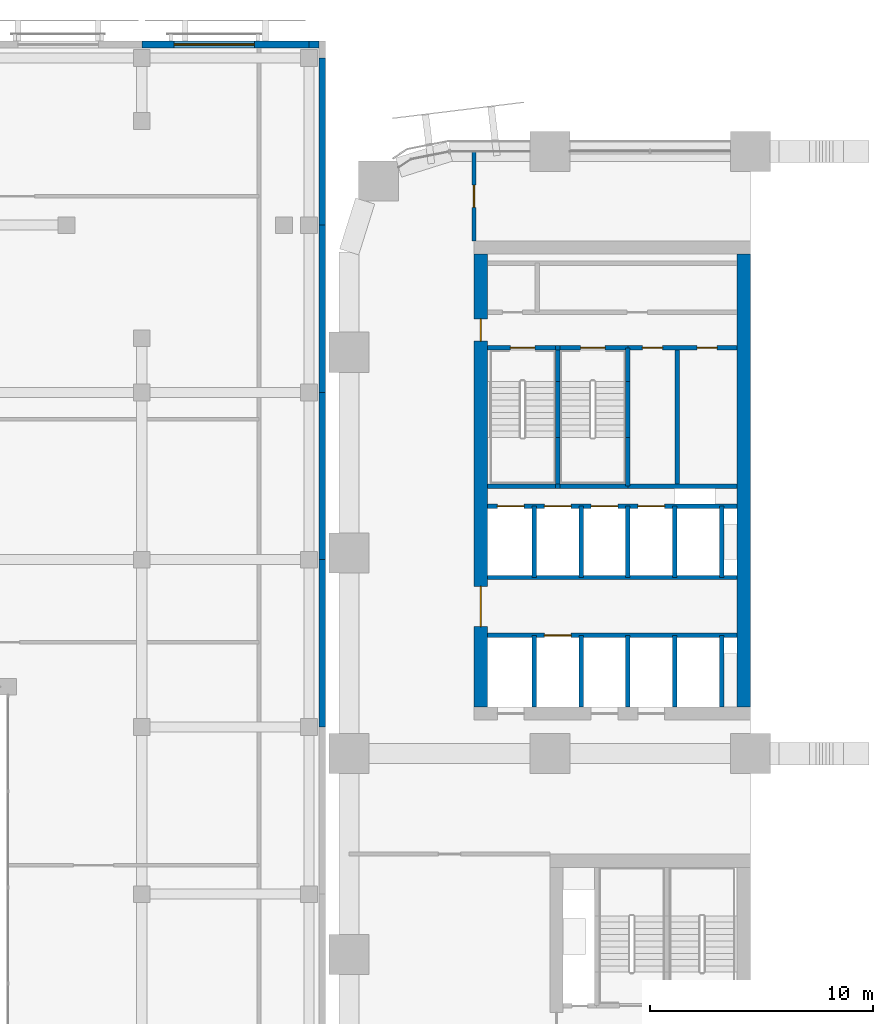
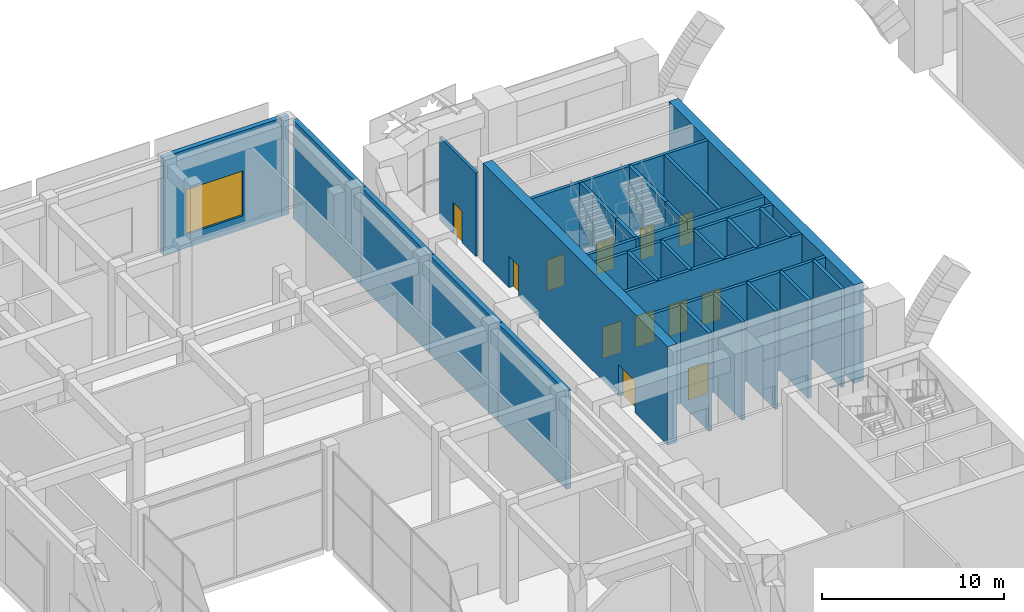
# One storey, part 21 of 42: 37 walls, 12 doors, 1 window, 13 openings.
"""IFC4 building model written with IfcOpenShell, lengths in metres."""

from ifc_helpers import new_model, si_unit, direction, frame, frame_2d, origin, place, context, subcontext, project, spatial, rectangle, extrude, material, layer, layer_set, type_object, element, fill, save


model = new_model("IFC4")

# Units and contexts
model_context = context("Model", 3, precision=1e-05, world=origin(), true_north=direction((0.0, 1.0)))
body_context = subcontext(model_context, "Body", "Model", "MODEL_VIEW")
ifc_project = project(units=[si_unit("LENGTHUNIT", "METRE"), si_unit("AREAUNIT", "SQUARE_METRE"), si_unit("VOLUMEUNIT", "CUBIC_METRE"), si_unit("PLANEANGLEUNIT", "RADIAN"), si_unit("MASSUNIT", "GRAM", prefix="KILO")], contexts=[model_context])

# Site, building, storey
site_placement = place(None, origin())
site = spatial("IfcSite", under=ifc_project, at=site_placement, CompositionType="ELEMENT")
building_placement = place(site_placement, origin())
building = spatial("IfcBuilding", under=site, at=building_placement, Name="Tessera Arch", CompositionType="ELEMENT")
storey_placement = place(building_placement, frame((0.0, 0.0, 14.0)))
storey = spatial("IfcBuildingStorey", under=building, at=storey_placement, Name="L02", CompositionType="ELEMENT", Elevation=14.0)

# Wall
ifc_material_1 = material(Name="Gypsum board on steel stud", Category="steel")
ifc_layer_1 = layer(ifc_material_1, 0.125)
ifc_layer_set_1 = layer_set([ifc_layer_1], Name="Core partition 125 EI 60")
wall_type_1 = type_object("IfcWallType", Name="Core partition 125 EI 60", PredefinedType="PARTITIONING", material=ifc_layer_set_1)
wall_1_placement = place(storey_placement, frame((14.705078125, 39.0, 0.0), z_axis=(0.0, 0.0, 1.0), x_axis=(0.0, 1.0, 0.0)))
element("IfcWall", 1, at=wall_1_placement, inside=storey, type_object=wall_type_1, Name="L02 C2 partition wall 16", PredefinedType="PARTITIONING", context=body_context, shape_type="SweptSolid", body=[
    extrude(rectangle(XDim=6.199951171875, YDim=0.199951171875, at=frame_2d((3.10009765625, 0.0))), origin(), (0.0, 0.0, 1.0), 6.590087890625),
])

# Wall, openings, doors
wall_2_placement = place(storey_placement, frame((12.5, 45.199951171875, 0.0), z_axis=(0.0, 0.0, 1.0), x_axis=(1.0, 0.0, 0.0)))
wall_2 = element("IfcWall", 2, at=wall_2_placement, inside=storey, type_object=wall_type_1, Name="L02 C2 partition wall 26", PredefinedType="PARTITIONING", context=body_context, shape_type="SweptSolid", body=[
    extrude(rectangle(XDim=4.89990234375, YDim=0.199951171875, at=frame_2d((2.449951171875, 0.0))), origin(), (0.0, 0.0, 1.0), 6.590087890625),
])
opening_1_placement = place(wall_2_placement, frame((0.652587890625, 0.0, 0.0)))
opening_1 = element("IfcOpeningElement", 3, at=opening_1_placement, cuts=wall_2, Name="Opening L02-C27", PredefinedType="OPENING", context=body_context, shape_type="SweptSolid", body=[
    extrude(rectangle(XDim=0.89990234375, YDim=2.10009765625, at=frame_2d((0.449951171875, 1.050048828125))), frame((0.0, 0.10986328125, 0.0), z_axis=(0.0, -1.0, 0.0), x_axis=(1.0, 0.0, 0.0)), (0.0, 0.0, 1.0), 0.219970703125),
])
opening_2_placement = place(wall_2_placement, frame((3.1025390625, 0.0, 0.0)))
opening_2 = element("IfcOpeningElement", 4, at=opening_2_placement, cuts=wall_2, Name="Opening L02-C28", PredefinedType="OPENING", context=body_context, shape_type="SweptSolid", body=[
    extrude(rectangle(XDim=0.89990234375, YDim=2.10009765625, at=frame_2d((0.449951171875, 1.050048828125))), frame((0.0, 0.10986328125, 0.0), z_axis=(0.0, -1.0, 0.0), x_axis=(1.0, 0.0, 0.0)), (0.0, 0.0, 1.0), 0.219970703125),
])
ifc_material_2 = material(Name="Steel door leaf", Category="steel")
door_type_1 = type_object("IfcDoorType", Name="Store door FD30S 900 x 2100", OperationType="SINGLE_SWING_LEFT", PredefinedType="DOOR", material=ifc_material_2)
door_1_placement = place(opening_1_placement, origin())
door_1 = element("IfcDoor", 5, at=door_1_placement, inside=storey, type_object=door_type_1, Name="L02 C2 door 15 C27 type D09", OperationType="SINGLE_SWING_LEFT", OverallHeight=2.10009765625, OverallWidth=0.89990234375, PredefinedType="DOOR", context=body_context, shape_type="SweptSolid", body=[
    extrude(rectangle(XDim=0.89990234375, YDim=2.10009765625, at=frame_2d((0.449951171875, 1.050048828125))), frame((0.0, 0.02490234375, 0.0), z_axis=(0.0, -1.0, 0.0), x_axis=(1.0, 0.0, 0.0)), (0.0, 0.0, 1.0), 0.050048828125),
])
fill(opening_1, door_1)
door_2_placement = place(opening_2_placement, origin())
door_2 = element("IfcDoor", 6, at=door_2_placement, inside=storey, type_object=door_type_1, Name="L02 C2 door 16 C28 type D09", OperationType="SINGLE_SWING_RIGHT", OverallHeight=2.10009765625, OverallWidth=0.89990234375, PredefinedType="DOOR", context=body_context, shape_type="SweptSolid", body=[
    extrude(rectangle(XDim=0.89990234375, YDim=2.10009765625, at=frame_2d((0.449951171875, 1.050048828125))), frame((0.0, 0.02490234375, 0.0), z_axis=(0.0, -1.0, 0.0), x_axis=(1.0, 0.0, 0.0)), (0.0, 0.0, 1.0), 0.050048828125),
])
fill(opening_2, door_2)

ifc_material_3 = material(Name="Concrete C70/85", Category="concrete")
ifc_layer_2 = layer(ifc_material_3, 0.60009765625)
ifc_layer_set_2 = layer_set([ifc_layer_2], Name="Core shell wall 600 C70-85")
wall_type_2 = type_object("IfcWallType", Name="Core shell wall 600 C70-85", PredefinedType="SHEAR", material=ifc_layer_set_2)
wall_3_placement = place(storey_placement, frame((5.89990234375, 29.10009765625, 0.0), z_axis=(0.0, 0.0, 1.0), x_axis=(0.0, 1.0, 0.0)))
wall_3 = element("IfcWall", 7, at=wall_3_placement, inside=storey, type_object=wall_type_2, Name="L02 C2 core wall W", PredefinedType="SHEAR", context=body_context, shape_type="SweptSolid", body=[
    extrude(rectangle(XDim=20.2998046875, YDim=0.60009765625, at=frame_2d((10.14990234375, 0.0))), origin(), (0.0, 0.0, 1.0), 6.590087890625),
])
opening_3_placement = place(wall_3_placement, frame((3.60009765625, 0.0, 0.0)))
opening_3 = element("IfcOpeningElement", 8, at=opening_3_placement, cuts=wall_3, Name="Opening L02-C21", PredefinedType="OPENING", context=body_context, shape_type="SweptSolid", body=[
    extrude(rectangle(XDim=1.800048828125, YDim=2.10009765625, at=frame_2d((0.89990234375, 1.050048828125))), frame((0.0, 0.31005859375, 0.0), z_axis=(0.0, -1.0, 0.0), x_axis=(1.0, 0.0, 0.0)), (0.0, 0.0, 1.0), 0.6201171875),
])
opening_4_placement = place(wall_3_placement, frame((16.39990234375, 0.0, 0.0)))
opening_4 = element("IfcOpeningElement", 9, at=opening_4_placement, cuts=wall_3, Name="Opening L02-C24", PredefinedType="OPENING", context=body_context, shape_type="SweptSolid", body=[
    extrude(rectangle(XDim=1.0, YDim=2.10009765625, at=frame_2d((0.5, 1.050048828125))), frame((0.0, 0.31005859375, 0.0), z_axis=(0.0, -1.0, 0.0), x_axis=(1.0, 0.0, 0.0)), (0.0, 0.0, 1.0), 0.6201171875),
])
ifc_material_4 = material(Name="Steel door leaf", Category="steel")
door_type_2 = type_object("IfcDoorType", Name="Corridor door FD60 1000 x 2100", OperationType="SINGLE_SWING_LEFT", PredefinedType="DOOR", material=ifc_material_4)
door_3_placement = place(opening_4_placement, origin())
door_3 = element("IfcDoor", 10, at=door_3_placement, inside=storey, type_object=door_type_2, Name="L02 C2 door 12 C24 type D12", OperationType="SINGLE_SWING_RIGHT", OverallHeight=2.10009765625, OverallWidth=1.0, PredefinedType="DOOR", context=body_context, shape_type="SweptSolid", body=[
    extrude(rectangle(XDim=1.0, YDim=2.10009765625, at=frame_2d((0.5, 1.050048828125))), frame((0.0, 0.02490234375, 0.0), z_axis=(0.0, -1.0, 0.0), x_axis=(1.0, 0.0, 0.0)), (0.0, 0.0, 1.0), 0.050048828125),
])
fill(opening_4, door_3)
ifc_material_5 = material(Name="Glazed steel door leaf", Category="steel")
door_type_3 = type_object("IfcDoorType", Name="Lobby double door FD30S 1800 x 2100", OperationType="DOUBLE_DOOR_SINGLE_SWING", PredefinedType="DOOR", material=ifc_material_5)
door_4_placement = place(opening_3_placement, origin())
door_4 = element("IfcDoor", 11, at=door_4_placement, inside=storey, type_object=door_type_3, Name="L02 C2 door 9 C21 type D06", OperationType="DOUBLE_DOOR_SINGLE_SWING", OverallHeight=2.10009765625, OverallWidth=1.800048828125, PredefinedType="DOOR", context=body_context, shape_type="SweptSolid", body=[
    extrude(rectangle(XDim=1.800048828125, YDim=2.10009765625, at=frame_2d((0.89990234375, 1.050048828125))), frame((0.0, 0.02490234375, 0.0), z_axis=(0.0, -1.0, 0.0), x_axis=(1.0, 0.0, 0.0)), (0.0, 0.0, 1.0), 0.050048828125),
])
fill(opening_3, door_4)

# Wall
wall_4_placement = place(storey_placement, frame((17.699951171875, 29.10009765625, 0.0), z_axis=(0.0, 0.0, 1.0), x_axis=(0.0, 1.0, 0.0)))
element("IfcWall", 12, at=wall_4_placement, inside=storey, type_object=wall_type_2, Name="L02 C2 core wall E", PredefinedType="SHEAR", context=body_context, shape_type="SweptSolid", body=[
    extrude(rectangle(XDim=20.2998046875, YDim=0.60009765625, at=frame_2d((10.14990234375, 0.0))), origin(), (0.0, 0.0, 1.0), 6.590087890625),
])

# Wall, opening, door
ifc_material_6 = material(Name="Gypsum board on deep steel stud with mineral wool", Category="steel")
ifc_layer_3 = layer(ifc_material_6, 0.175048828125)
ifc_layer_set_3 = layer_set([ifc_layer_3], Name="Corridor wall 175 EI 60")
wall_type_3 = type_object("IfcWallType", Name="Corridor wall 175 EI 60", PredefinedType="PARTITIONING", material=ifc_layer_set_3)
wall_5_placement = place(storey_placement, frame((5.60009765625, 50.0, 0.0), z_axis=(0.0, 0.0, 1.0), x_axis=(0.0, 1.0, 0.0)))
wall_5 = element("IfcWall", 13, at=wall_5_placement, inside=storey, type_object=wall_type_3, Name="L02 partition 14", PredefinedType="PARTITIONING", context=body_context, shape_type="SweptSolid", body=[
    extrude(rectangle(XDim=4.0, YDim=0.175048828125, at=frame_2d((2.0, 0.0))), origin(), (0.0, 0.0, 1.0), 5.590087890625),
])
opening_5_placement = place(wall_5_placement, frame((1.5, 0.0, 0.0)))
opening_5 = element("IfcOpeningElement", 14, at=opening_5_placement, cuts=wall_5, Name="Opening L02-D018", PredefinedType="OPENING", context=body_context, shape_type="SweptSolid", body=[
    extrude(rectangle(XDim=1.0, YDim=2.10009765625, at=frame_2d((0.5, 1.050048828125))), frame((0.0, 0.097412109375, 0.0), z_axis=(0.0, -1.0, 0.0), x_axis=(1.0, 0.0, 0.0)), (0.0, 0.0, 1.0), 0.195068359375),
])
ifc_material_7 = material(Name="Fire-rated door leaf")
door_type_4 = type_object("IfcDoorType", Name="Entrance door FD30S 1000 x 2100", OperationType="SINGLE_SWING_LEFT", PredefinedType="DOOR", material=ifc_material_7)
door_5_placement = place(opening_5_placement, origin())
door_5 = element("IfcDoor", 15, at=door_5_placement, inside=storey, type_object=door_type_4, Name="L02 door D018 type D03", OperationType="SINGLE_SWING_LEFT", OverallHeight=2.10009765625, OverallWidth=1.0, PredefinedType="DOOR", context=body_context, shape_type="SweptSolid", body=[
    extrude(rectangle(XDim=1.0, YDim=2.10009765625, at=frame_2d((0.5, 1.050048828125))), frame((0.0, 0.02490234375, 0.0), z_axis=(0.0, -1.0, 0.0), x_axis=(1.0, 0.0, 0.0)), (0.0, 0.0, 1.0), 0.050048828125),
])
fill(opening_5, door_5)

# Wall
ifc_material_8 = material(Name="Aluminium cladding pale metal anodised", Category="aluminium")
ifc_layer_4 = layer(ifc_material_8, 0.300048828125)
ifc_layer_set_4 = layer_set([ifc_layer_4], Name="Museum envelope wall pale metal")
wall_type_4 = type_object("IfcWallType", Name="Museum envelope wall pale metal", PredefinedType="SOLIDWALL", material=ifc_layer_set_4)
wall_6_placement = place(storey_placement, frame((-1.35009765625, 58.800048828125, 0.0), z_axis=(0.0, 0.0, 1.0), x_axis=(-1.0, 0.0, 0.0)))
element("IfcWall", 16, at=wall_6_placement, inside=storey, type_object=wall_type_4, Name="Museum external wall pale metal mashrabiya pattern", PredefinedType="SOLIDWALL", context=body_context, shape_type="SweptSolid", body=[
    extrude(rectangle(XDim=0.449951171875, YDim=0.300048828125, at=frame_2d((0.22509765625, 0.0))), origin(), (0.0, 0.0, 1.0), 6.590087890625),
])

# Wall, opening, window
wall_7_placement = place(storey_placement, frame((-1.800048828125, 58.800048828125, 0.0), z_axis=(0.0, 0.0, 1.0), x_axis=(-1.0, 0.0, 0.0)))
wall_7 = element("IfcWall", 17, at=wall_7_placement, inside=storey, type_object=wall_type_4, Name="Museum external wall pale metal mashrabiya pattern", PredefinedType="SOLIDWALL", context=body_context, shape_type="SweptSolid", body=[
    extrude(rectangle(XDim=7.5, YDim=0.300048828125, at=frame_2d((3.75, 0.0))), origin(), (0.0, 0.0, 1.0), 6.590087890625),
])
opening_6_placement = place(wall_7_placement, frame((2.449951171875, 0.0, 0.89990234375)))
opening_6 = element("IfcOpeningElement", 18, at=opening_6_placement, cuts=wall_7, Name="Opening L02-MV30", PredefinedType="OPENING", context=body_context, shape_type="SweptSolid", body=[
    extrude(rectangle(XDim=3.60009765625, YDim=3.0, at=frame_2d((1.800048828125, 1.5))), frame((0.0, 0.159912109375, 0.0), z_axis=(0.0, -1.0, 0.0), x_axis=(1.0, 0.0, 0.0)), (0.0, 0.0, 1.0), 0.320068359375),
])
ifc_material_9 = material(Name="Clear low-e glass in aluminium frame", Category="aluminium")
window_type = type_object("IfcWindowType", Name="Museum window fixed clear glass", PartitioningType="SINGLE_PANEL", PredefinedType="WINDOW", material=ifc_material_9)
window_placement = place(opening_6_placement, origin())
window = element("IfcWindow", 19, at=window_placement, inside=storey, type_object=window_type, Name="Museum window L02 5-2", OverallHeight=3.0, OverallWidth=3.60009765625, PartitioningType="SINGLE_PANEL", PredefinedType="WINDOW", context=body_context, shape_type="SweptSolid", body=[
    extrude(rectangle(XDim=3.60009765625, YDim=3.0, at=frame_2d((1.800048828125, 1.5))), frame((0.0, 0.030029296875, 0.0), z_axis=(0.0, -1.0, 0.0), x_axis=(1.0, 0.0, 0.0)), (0.0, 0.0, 1.0), 0.06005859375),
])
fill(opening_6, window)

# Walls
ifc_material_10 = material(Name="Concrete C40/50", Category="concrete")
ifc_layer_5 = layer(ifc_material_10, 0.300048828125)
ifc_layer_set_5 = layer_set([ifc_layer_5], Name="Museum fire wall")
wall_type_5 = type_object("IfcWallType", Name="Museum fire wall", PredefinedType="SOLIDWALL", material=ifc_layer_set_5)
for number, where, z_axis, x_axis, name in (
    (20, (-1.199951171875, 28.199951171875, 0.0), (0.0, 0.0, 1.0), (0.0, 1.0, 0.0), "Museum fire wall at the movement joint"),
    (21, (-1.199951171875, 35.699951171875, 0.0), (0.0, 0.0, 1.0), (0.0, 1.0, 0.0), "Museum fire wall at the movement joint"),
    (22, (-1.199951171875, 43.199951171875, 0.0), (0.0, 0.0, 1.0), (0.0, 1.0, 0.0), "Museum fire wall at the movement joint"),
    (23, (-1.199951171875, 50.699951171875, 0.0), (0.0, 0.0, 1.0), (0.0, 1.0, 0.0), "Museum fire wall at the movement joint"),
):
    element("IfcWall", number, at=place(storey_placement, frame(where, z_axis=z_axis, x_axis=x_axis)), inside=storey, type_object=wall_type_5, Name=name, PredefinedType="SOLIDWALL", context=body_context, shape_type="SweptSolid", body=[
        extrude(rectangle(XDim=7.5, YDim=0.300048828125, at=frame_2d((3.75, 0.0))), origin(), (0.0, 0.0, 1.0), 6.590087890625),
    ])
ifc_material_11 = material(Name="Concrete C40/50", Category="concrete")
ifc_layer_6 = layer(ifc_material_11, 0.199951171875)
ifc_layer_set_6 = layer_set([ifc_layer_6], Name="Shaft wall 200 EI 120")
wall_type_6 = type_object("IfcWallType", Name="Shaft wall 200 EI 120", PredefinedType="SOLIDWALL", material=ifc_layer_set_6)
wall_8_placement = place(storey_placement, frame((8.300048828125, 29.10009765625, 0.0), z_axis=(0.0, 0.0, 1.0), x_axis=(0.0, 1.0, 0.0)))
element("IfcWall", 24, at=wall_8_placement, inside=storey, type_object=wall_type_6, Name="L02 C2 shaft wall 1", PredefinedType="SOLIDWALL", context=body_context, shape_type="SweptSolid", body=[
    extrude(rectangle(XDim=3.199951171875, YDim=0.199951171875, at=frame_2d((1.60009765625, 0.0))), origin(), (0.0, 0.0, 1.0), 6.590087890625),
])
wall_9_placement = place(storey_placement, frame((8.300048828125, 34.89990234375, 0.0), z_axis=(0.0, 0.0, 1.0), x_axis=(0.0, 1.0, 0.0)))
element("IfcWall", 25, at=wall_9_placement, inside=storey, type_object=wall_type_6, Name="L02 C2 shaft wall 2", PredefinedType="SOLIDWALL", context=body_context, shape_type="SweptSolid", body=[
    extrude(rectangle(XDim=3.2001953125, YDim=0.199951171875, at=frame_2d((1.60009765625, 0.0))), origin(), (0.0, 0.0, 1.0), 6.590087890625),
])
wall_10_placement = place(storey_placement, frame((10.39990234375, 29.10009765625, 0.0), z_axis=(0.0, 0.0, 1.0), x_axis=(0.0, 1.0, 0.0)))
element("IfcWall", 26, at=wall_10_placement, inside=storey, type_object=wall_type_6, Name="L02 C2 shaft wall 7", PredefinedType="SOLIDWALL", context=body_context, shape_type="SweptSolid", body=[
    extrude(rectangle(XDim=3.199951171875, YDim=0.199951171875, at=frame_2d((1.60009765625, 0.0))), origin(), (0.0, 0.0, 1.0), 6.590087890625),
])
wall_11_placement = place(storey_placement, frame((10.39990234375, 34.89990234375, 0.0), z_axis=(0.0, 0.0, 1.0), x_axis=(0.0, 1.0, 0.0)))
element("IfcWall", 27, at=wall_11_placement, inside=storey, type_object=wall_type_6, Name="L02 C2 shaft wall 8", PredefinedType="SOLIDWALL", context=body_context, shape_type="SweptSolid", body=[
    extrude(rectangle(XDim=3.2001953125, YDim=0.199951171875, at=frame_2d((1.60009765625, 0.0))), origin(), (0.0, 0.0, 1.0), 6.590087890625),
])
wall_12_placement = place(storey_placement, frame((12.5, 29.10009765625, 0.0), z_axis=(0.0, 0.0, 1.0), x_axis=(0.0, 1.0, 0.0)))
element("IfcWall", 28, at=wall_12_placement, inside=storey, type_object=wall_type_6, Name="L02 C2 shaft wall 9", PredefinedType="SOLIDWALL", context=body_context, shape_type="SweptSolid", body=[
    extrude(rectangle(XDim=3.199951171875, YDim=0.199951171875, at=frame_2d((1.60009765625, 0.0))), origin(), (0.0, 0.0, 1.0), 6.590087890625),
])
wall_13_placement = place(storey_placement, frame((12.5, 34.89990234375, 0.0), z_axis=(0.0, 0.0, 1.0), x_axis=(0.0, 1.0, 0.0)))
element("IfcWall", 29, at=wall_13_placement, inside=storey, type_object=wall_type_6, Name="L02 C2 shaft wall 10", PredefinedType="SOLIDWALL", context=body_context, shape_type="SweptSolid", body=[
    extrude(rectangle(XDim=3.2001953125, YDim=0.199951171875, at=frame_2d((1.60009765625, 0.0))), origin(), (0.0, 0.0, 1.0), 6.590087890625),
])
wall_14_placement = place(storey_placement, frame((14.60009765625, 29.10009765625, 0.0), z_axis=(0.0, 0.0, 1.0), x_axis=(0.0, 1.0, 0.0)))
element("IfcWall", 30, at=wall_14_placement, inside=storey, type_object=wall_type_6, Name="L02 C2 shaft wall 14", PredefinedType="SOLIDWALL", context=body_context, shape_type="SweptSolid", body=[
    extrude(rectangle(XDim=3.199951171875, YDim=0.199951171875, at=frame_2d((1.60009765625, 0.0))), origin(), (0.0, 0.0, 1.0), 6.590087890625),
])
wall_15_placement = place(storey_placement, frame((14.60009765625, 34.89990234375, 0.0), z_axis=(0.0, 0.0, 1.0), x_axis=(0.0, 1.0, 0.0)))
element("IfcWall", 31, at=wall_15_placement, inside=storey, type_object=wall_type_6, Name="L02 C2 shaft wall 15", PredefinedType="SOLIDWALL", context=body_context, shape_type="SweptSolid", body=[
    extrude(rectangle(XDim=3.2001953125, YDim=0.199951171875, at=frame_2d((1.60009765625, 0.0))), origin(), (0.0, 0.0, 1.0), 6.590087890625),
])
wall_16_placement = place(storey_placement, frame((16.699951171875, 29.10009765625, 0.0), z_axis=(0.0, 0.0, 1.0), x_axis=(0.0, 1.0, 0.0)))
element("IfcWall", 32, at=wall_16_placement, inside=storey, type_object=wall_type_6, Name="L02 C2 shaft wall 17", PredefinedType="SOLIDWALL", context=body_context, shape_type="SweptSolid", body=[
    extrude(rectangle(XDim=3.199951171875, YDim=0.199951171875, at=frame_2d((1.60009765625, 0.0))), origin(), (0.0, 0.0, 1.0), 6.590087890625),
])
wall_17_placement = place(storey_placement, frame((16.699951171875, 34.89990234375, 0.0), z_axis=(0.0, 0.0, 1.0), x_axis=(0.0, 1.0, 0.0)))
element("IfcWall", 33, at=wall_17_placement, inside=storey, type_object=wall_type_6, Name="L02 C2 shaft wall 18", PredefinedType="SOLIDWALL", context=body_context, shape_type="SweptSolid", body=[
    extrude(rectangle(XDim=3.2001953125, YDim=0.199951171875, at=frame_2d((1.60009765625, 0.0))), origin(), (0.0, 0.0, 1.0), 6.590087890625),
])

# Wall, opening, door
wall_18_placement = place(storey_placement, frame((6.199951171875, 32.300048828125, 0.0), z_axis=(0.0, 0.0, 1.0), x_axis=(1.0, 0.0, 0.0)))
wall_18 = element("IfcWall", 34, at=wall_18_placement, inside=storey, type_object=wall_type_6, Name="L02 C2 shaft wall 19", PredefinedType="SOLIDWALL", context=body_context, shape_type="SweptSolid", body=[
    extrude(rectangle(XDim=11.199951171875, YDim=0.199951171875, at=frame_2d((5.60009765625, 0.0))), origin(), (0.0, 0.0, 1.0), 6.590087890625),
])
opening_7_placement = place(wall_18_placement, frame((2.550048828125, 0.0, 0.0)))
opening_7 = element("IfcOpeningElement", 35, at=opening_7_placement, cuts=wall_18, Name="Opening L02-C14", PredefinedType="OPENING", context=body_context, shape_type="SweptSolid", body=[
    extrude(rectangle(XDim=1.199951171875, YDim=2.10009765625, at=frame_2d((0.60009765625, 1.050048828125))), frame((0.0, 0.10986328125, 0.0), z_axis=(0.0, -1.0, 0.0), x_axis=(1.0, 0.0, 0.0)), (0.0, 0.0, 1.0), 0.219970703125),
])
ifc_material_12 = material(Name="Stainless steel AISI 304", Category="steel")
door_type_5 = type_object("IfcDoorType", Name="Sliding landing door 1200 x 2100", OperationType="SLIDING_TO_LEFT", PredefinedType="DOOR", material=ifc_material_12)
door_6_placement = place(opening_7_placement, origin())
door_6 = element("IfcDoor", 36, at=door_6_placement, inside=storey, type_object=door_type_5, Name="L02 LR2 lift landing door C14 type LD", OperationType="SLIDING_TO_LEFT", OverallHeight=2.10009765625, OverallWidth=1.199951171875, PredefinedType="DOOR", context=body_context, shape_type="SweptSolid", body=[
    extrude(rectangle(XDim=1.199951171875, YDim=2.10009765625, at=frame_2d((0.60009765625, 1.050048828125))), frame((0.0, 0.02490234375, 0.0), z_axis=(0.0, -1.0, 0.0), x_axis=(1.0, 0.0, 0.0)), (0.0, 0.0, 1.0), 0.050048828125),
])
fill(opening_7, door_6)

# Wall
wall_19_placement = place(storey_placement, frame((6.199951171875, 34.89990234375, 0.0), z_axis=(0.0, 0.0, 1.0), x_axis=(1.0, 0.0, 0.0)))
element("IfcWall", 37, at=wall_19_placement, inside=storey, type_object=wall_type_6, Name="L02 C2 shaft wall 20", PredefinedType="SOLIDWALL", context=body_context, shape_type="SweptSolid", body=[
    extrude(rectangle(XDim=11.199951171875, YDim=0.199951171875, at=frame_2d((5.60009765625, 0.0))), origin(), (0.0, 0.0, 1.0), 6.590087890625),
])

# Wall, openings, doors
wall_20_placement = place(storey_placement, frame((6.199951171875, 38.10009765625, 0.0), z_axis=(0.0, 0.0, 1.0), x_axis=(1.0, 0.0, 0.0)))
wall_20 = element("IfcWall", 38, at=wall_20_placement, inside=storey, type_object=wall_type_6, Name="L02 C2 shaft wall 21", PredefinedType="SOLIDWALL", context=body_context, shape_type="SweptSolid", body=[
    extrude(rectangle(XDim=11.199951171875, YDim=0.199951171875, at=frame_2d((5.60009765625, 0.0))), origin(), (0.0, 0.0, 1.0), 6.590087890625),
])
opening_8_placement = place(wall_20_placement, frame((0.449951171875, 0.0, 0.0)))
opening_8 = element("IfcOpeningElement", 39, at=opening_8_placement, cuts=wall_20, Name="Opening L02-C17", PredefinedType="OPENING", context=body_context, shape_type="SweptSolid", body=[
    extrude(rectangle(XDim=1.199951171875, YDim=2.10009765625, at=frame_2d((0.60009765625, 1.050048828125))), frame((0.0, 0.10986328125, 0.0), z_axis=(0.0, -1.0, 0.0), x_axis=(1.0, 0.0, 0.0)), (0.0, 0.0, 1.0), 0.219970703125),
])
opening_9_placement = place(wall_20_placement, frame((2.550048828125, 0.0, 0.0)))
opening_9 = element("IfcOpeningElement", 40, at=opening_9_placement, cuts=wall_20, Name="Opening L02-C18", PredefinedType="OPENING", context=body_context, shape_type="SweptSolid", body=[
    extrude(rectangle(XDim=1.199951171875, YDim=2.10009765625, at=frame_2d((0.60009765625, 1.050048828125))), frame((0.0, 0.10986328125, 0.0), z_axis=(0.0, -1.0, 0.0), x_axis=(1.0, 0.0, 0.0)), (0.0, 0.0, 1.0), 0.219970703125),
])
opening_10_placement = place(wall_20_placement, frame((4.64990234375, 0.0, 0.0)))
opening_10 = element("IfcOpeningElement", 41, at=opening_10_placement, cuts=wall_20, Name="Opening L02-C19", PredefinedType="OPENING", context=body_context, shape_type="SweptSolid", body=[
    extrude(rectangle(XDim=1.199951171875, YDim=2.10009765625, at=frame_2d((0.60009765625, 1.050048828125))), frame((0.0, 0.10986328125, 0.0), z_axis=(0.0, -1.0, 0.0), x_axis=(1.0, 0.0, 0.0)), (0.0, 0.0, 1.0), 0.219970703125),
])
opening_11_placement = place(wall_20_placement, frame((6.75, 0.0, 0.0)))
opening_11 = element("IfcOpeningElement", 42, at=opening_11_placement, cuts=wall_20, Name="Opening L02-C20", PredefinedType="OPENING", context=body_context, shape_type="SweptSolid", body=[
    extrude(rectangle(XDim=1.199951171875, YDim=2.10009765625, at=frame_2d((0.60009765625, 1.050048828125))), frame((0.0, 0.10986328125, 0.0), z_axis=(0.0, -1.0, 0.0), x_axis=(1.0, 0.0, 0.0)), (0.0, 0.0, 1.0), 0.219970703125),
])
door_7_placement = place(opening_8_placement, origin())
door_7 = element("IfcDoor", 43, at=door_7_placement, inside=storey, type_object=door_type_5, Name="L02 LR5 lift landing door C17 type LD", OperationType="SLIDING_TO_LEFT", OverallHeight=2.10009765625, OverallWidth=1.199951171875, PredefinedType="DOOR", context=body_context, shape_type="SweptSolid", body=[
    extrude(rectangle(XDim=1.199951171875, YDim=2.10009765625, at=frame_2d((0.60009765625, 1.050048828125))), frame((0.0, 0.02490234375, 0.0), z_axis=(0.0, -1.0, 0.0), x_axis=(1.0, 0.0, 0.0)), (0.0, 0.0, 1.0), 0.050048828125),
])
fill(opening_8, door_7)
door_8_placement = place(opening_9_placement, origin())
door_8 = element("IfcDoor", 44, at=door_8_placement, inside=storey, type_object=door_type_5, Name="L02 LR6 lift landing door C18 type LD", OperationType="SLIDING_TO_LEFT", OverallHeight=2.10009765625, OverallWidth=1.199951171875, PredefinedType="DOOR", context=body_context, shape_type="SweptSolid", body=[
    extrude(rectangle(XDim=1.199951171875, YDim=2.10009765625, at=frame_2d((0.60009765625, 1.050048828125))), frame((0.0, 0.02490234375, 0.0), z_axis=(0.0, -1.0, 0.0), x_axis=(1.0, 0.0, 0.0)), (0.0, 0.0, 1.0), 0.050048828125),
])
fill(opening_9, door_8)
door_9_placement = place(opening_10_placement, origin())
door_9 = element("IfcDoor", 45, at=door_9_placement, inside=storey, type_object=door_type_5, Name="L02 LR7 lift landing door C19 type LD", OperationType="SLIDING_TO_LEFT", OverallHeight=2.10009765625, OverallWidth=1.199951171875, PredefinedType="DOOR", context=body_context, shape_type="SweptSolid", body=[
    extrude(rectangle(XDim=1.199951171875, YDim=2.10009765625, at=frame_2d((0.60009765625, 1.050048828125))), frame((0.0, 0.02490234375, 0.0), z_axis=(0.0, -1.0, 0.0), x_axis=(1.0, 0.0, 0.0)), (0.0, 0.0, 1.0), 0.050048828125),
])
fill(opening_10, door_9)
door_10_placement = place(opening_11_placement, origin())
door_10 = element("IfcDoor", 46, at=door_10_placement, inside=storey, type_object=door_type_5, Name="L02 LR8 lift landing door C20 type LD", OperationType="SLIDING_TO_LEFT", OverallHeight=2.10009765625, OverallWidth=1.199951171875, PredefinedType="DOOR", context=body_context, shape_type="SweptSolid", body=[
    extrude(rectangle(XDim=1.199951171875, YDim=2.10009765625, at=frame_2d((0.60009765625, 1.050048828125))), frame((0.0, 0.02490234375, 0.0), z_axis=(0.0, -1.0, 0.0), x_axis=(1.0, 0.0, 0.0)), (0.0, 0.0, 1.0), 0.050048828125),
])
fill(opening_11, door_10)

# Walls
wall_21_placement = place(storey_placement, frame((12.5, 39.0, 0.0), z_axis=(0.0, 0.0, 1.0), x_axis=(1.0, 0.0, 0.0)))
element("IfcWall", 47, at=wall_21_placement, inside=storey, type_object=wall_type_6, Name="L02 C2 shaft wall 22", PredefinedType="SOLIDWALL", context=body_context, shape_type="SweptSolid", body=[
    extrude(rectangle(XDim=4.89990234375, YDim=0.199951171875, at=frame_2d((2.449951171875, 0.0))), origin(), (0.0, 0.0, 1.0), 6.590087890625),
])
ifc_material_13 = material(Name="Concrete C40/50", Category="concrete")
ifc_layer_7 = layer(ifc_material_13, 0.199951171875)
ifc_layer_set_7 = layer_set([ifc_layer_7], Name="Stair well wall 200 REI 180")
wall_type_7 = type_object("IfcWallType", Name="Stair well wall 200 REI 180", PredefinedType="SOLIDWALL", material=ifc_layer_set_7)
wall_22_placement = place(storey_placement, frame((9.35009765625, 39.0, 0.0), z_axis=(0.0, 0.0, 1.0), x_axis=(0.0, 1.0, 0.0)))
element("IfcWall", 48, at=wall_22_placement, inside=storey, type_object=wall_type_7, Name="L02 C2 shaft wall 4", PredefinedType="SOLIDWALL", context=body_context, shape_type="SweptSolid", body=[
    extrude(rectangle(XDim=2.179931640625, YDim=0.199951171875, at=frame_2d((1.08984375, 0.0))), origin(), (0.0, 0.0, 1.0), 6.590087890625),
])
wall_23_placement = place(storey_placement, frame((9.35009765625, 41.179931640625, 0.0), z_axis=(0.0, 0.0, 1.0), x_axis=(0.0, 1.0, 0.0)))
element("IfcWall", 49, at=wall_23_placement, inside=storey, type_object=wall_type_7, Name="L02 C2 shaft wall 5", PredefinedType="SOLIDWALL", context=body_context, shape_type="SweptSolid", body=[
    extrude(rectangle(XDim=2.52001953125, YDim=0.199951171875, at=frame_2d((1.260009765625, 0.0))), origin(), (0.0, 0.0, 1.0), 6.590087890625),
])
wall_24_placement = place(storey_placement, frame((9.35009765625, 43.699951171875, 0.0), z_axis=(0.0, 0.0, 1.0), x_axis=(0.0, 1.0, 0.0)))
element("IfcWall", 50, at=wall_24_placement, inside=storey, type_object=wall_type_7, Name="L02 C2 shaft wall 6", PredefinedType="SOLIDWALL", context=body_context, shape_type="SweptSolid", body=[
    extrude(rectangle(XDim=1.5, YDim=0.199951171875, at=frame_2d((0.75, 0.0))), origin(), (0.0, 0.0, 1.0), 6.590087890625),
])
wall_25_placement = place(storey_placement, frame((12.5, 39.0, 0.0), z_axis=(0.0, 0.0, 1.0), x_axis=(0.0, 1.0, 0.0)))
element("IfcWall", 51, at=wall_25_placement, inside=storey, type_object=wall_type_7, Name="L02 C2 shaft wall 11", PredefinedType="SOLIDWALL", context=body_context, shape_type="SweptSolid", body=[
    extrude(rectangle(XDim=2.179931640625, YDim=0.199951171875, at=frame_2d((1.08984375, 0.0))), origin(), (0.0, 0.0, 1.0), 6.590087890625),
])
wall_26_placement = place(storey_placement, frame((12.5, 41.179931640625, 0.0), z_axis=(0.0, 0.0, 1.0), x_axis=(0.0, 1.0, 0.0)))
element("IfcWall", 52, at=wall_26_placement, inside=storey, type_object=wall_type_7, Name="L02 C2 shaft wall 12", PredefinedType="SOLIDWALL", context=body_context, shape_type="SweptSolid", body=[
    extrude(rectangle(XDim=2.52001953125, YDim=0.199951171875, at=frame_2d((1.260009765625, 0.0))), origin(), (0.0, 0.0, 1.0), 6.590087890625),
])
wall_27_placement = place(storey_placement, frame((12.5, 43.699951171875, 0.0), z_axis=(0.0, 0.0, 1.0), x_axis=(0.0, 1.0, 0.0)))
element("IfcWall", 53, at=wall_27_placement, inside=storey, type_object=wall_type_7, Name="L02 C2 shaft wall 13", PredefinedType="SOLIDWALL", context=body_context, shape_type="SweptSolid", body=[
    extrude(rectangle(XDim=1.5, YDim=0.199951171875, at=frame_2d((0.75, 0.0))), origin(), (0.0, 0.0, 1.0), 6.590087890625),
])
wall_28_placement = place(storey_placement, frame((6.199951171875, 39.0, 0.0), z_axis=(0.0, 0.0, 1.0), x_axis=(1.0, 0.0, 0.0)))
element("IfcWall", 54, at=wall_28_placement, inside=storey, type_object=wall_type_7, Name="L02 C2 shaft wall 23", PredefinedType="SOLIDWALL", context=body_context, shape_type="SweptSolid", body=[
    extrude(rectangle(XDim=3.050048828125, YDim=0.199951171875, at=frame_2d((1.52490234375, 0.0))), origin(), (0.0, 0.0, 1.0), 6.590087890625),
])
wall_29_placement = place(storey_placement, frame((9.25, 39.0, 0.0), z_axis=(0.0, 0.0, 1.0), x_axis=(1.0, 0.0, 0.0)))
element("IfcWall", 55, at=wall_29_placement, inside=storey, type_object=wall_type_7, Name="L02 C2 shaft wall 24", PredefinedType="SOLIDWALL", context=body_context, shape_type="SweptSolid", body=[
    extrude(rectangle(XDim=0.199951171875, YDim=0.199951171875, at=frame_2d((0.10009765625, 0.0))), origin(), (0.0, 0.0, 1.0), 6.590087890625),
])
wall_30_placement = place(storey_placement, frame((9.449951171875, 39.0, 0.0), z_axis=(0.0, 0.0, 1.0), x_axis=(1.0, 0.0, 0.0)))
element("IfcWall", 56, at=wall_30_placement, inside=storey, type_object=wall_type_7, Name="L02 C2 shaft wall 25", PredefinedType="SOLIDWALL", context=body_context, shape_type="SweptSolid", body=[
    extrude(rectangle(XDim=3.050048828125, YDim=0.199951171875, at=frame_2d((1.52490234375, 0.0))), origin(), (0.0, 0.0, 1.0), 6.590087890625),
])

# Wall, opening, door
wall_31_placement = place(storey_placement, frame((6.199951171875, 45.199951171875, 0.0), z_axis=(0.0, 0.0, 1.0), x_axis=(1.0, 0.0, 0.0)))
wall_31 = element("IfcWall", 57, at=wall_31_placement, inside=storey, type_object=wall_type_7, Name="L02 C2 shaft wall 27", PredefinedType="SOLIDWALL", context=body_context, shape_type="SweptSolid", body=[
    extrude(rectangle(XDim=3.050048828125, YDim=0.199951171875, at=frame_2d((1.52490234375, 0.0))), origin(), (0.0, 0.0, 1.0), 6.590087890625),
])
opening_12_placement = place(wall_31_placement, frame((1.02490234375, 0.0, 0.0)))
opening_12 = element("IfcOpeningElement", 58, at=opening_12_placement, cuts=wall_31, Name="Opening L02-C22", PredefinedType="OPENING", context=body_context, shape_type="SweptSolid", body=[
    extrude(rectangle(XDim=1.10009765625, YDim=2.10009765625, at=frame_2d((0.550048828125, 1.050048828125))), frame((0.0, 0.10986328125, 0.0), z_axis=(0.0, -1.0, 0.0), x_axis=(1.0, 0.0, 0.0)), (0.0, 0.0, 1.0), 0.219970703125),
])
ifc_material_14 = material(Name="Steel door leaf", Category="steel")
door_type_6 = type_object("IfcDoorType", Name="Stair door FD60 1100 x 2100", OperationType="SINGLE_SWING_LEFT", PredefinedType="DOOR", material=ifc_material_14)
door_11_placement = place(opening_12_placement, origin())
door_11 = element("IfcDoor", 59, at=door_11_placement, inside=storey, type_object=door_type_6, Name="L02 C2 door 10 C22 type D05", OperationType="SINGLE_SWING_RIGHT", OverallHeight=2.10009765625, OverallWidth=1.10009765625, PredefinedType="DOOR", context=body_context, shape_type="SweptSolid", body=[
    extrude(rectangle(XDim=1.10009765625, YDim=2.10009765625, at=frame_2d((0.550048828125, 1.050048828125))), frame((0.0, 0.02490234375, 0.0), z_axis=(0.0, -1.0, 0.0), x_axis=(1.0, 0.0, 0.0)), (0.0, 0.0, 1.0), 0.050048828125),
])
fill(opening_12, door_11)

# Wall
wall_32_placement = place(storey_placement, frame((9.25, 45.199951171875, 0.0), z_axis=(0.0, 0.0, 1.0), x_axis=(1.0, 0.0, 0.0)))
element("IfcWall", 60, at=wall_32_placement, inside=storey, type_object=wall_type_7, Name="L02 C2 shaft wall 28", PredefinedType="SOLIDWALL", context=body_context, shape_type="SweptSolid", body=[
    extrude(rectangle(XDim=0.199951171875, YDim=0.199951171875, at=frame_2d((0.10009765625, 0.0))), origin(), (0.0, 0.0, 1.0), 6.590087890625),
])

# Wall, opening, door
wall_33_placement = place(storey_placement, frame((9.449951171875, 45.199951171875, 0.0), z_axis=(0.0, 0.0, 1.0), x_axis=(1.0, 0.0, 0.0)))
wall_33 = element("IfcWall", 61, at=wall_33_placement, inside=storey, type_object=wall_type_7, Name="L02 C2 shaft wall 29", PredefinedType="SOLIDWALL", context=body_context, shape_type="SweptSolid", body=[
    extrude(rectangle(XDim=3.050048828125, YDim=0.199951171875, at=frame_2d((1.52490234375, 0.0))), origin(), (0.0, 0.0, 1.0), 6.590087890625),
])
opening_13_placement = place(wall_33_placement, frame((0.925048828125, 0.0, 0.0)))
opening_13 = element("IfcOpeningElement", 62, at=opening_13_placement, cuts=wall_33, Name="Opening L02-C23", PredefinedType="OPENING", context=body_context, shape_type="SweptSolid", body=[
    extrude(rectangle(XDim=1.10009765625, YDim=2.10009765625, at=frame_2d((0.550048828125, 1.050048828125))), frame((0.0, 0.10986328125, 0.0), z_axis=(0.0, -1.0, 0.0), x_axis=(1.0, 0.0, 0.0)), (0.0, 0.0, 1.0), 0.219970703125),
])
door_12_placement = place(opening_13_placement, origin())
door_12 = element("IfcDoor", 63, at=door_12_placement, inside=storey, type_object=door_type_6, Name="L02 C2 door 11 C23 type D05", OperationType="SINGLE_SWING_LEFT", OverallHeight=2.10009765625, OverallWidth=1.10009765625, PredefinedType="DOOR", context=body_context, shape_type="SweptSolid", body=[
    extrude(rectangle(XDim=1.10009765625, YDim=2.10009765625, at=frame_2d((0.550048828125, 1.050048828125))), frame((0.0, 0.02490234375, 0.0), z_axis=(0.0, -1.0, 0.0), x_axis=(1.0, 0.0, 0.0)), (0.0, 0.0, 1.0), 0.050048828125),
])
fill(opening_13, door_12)

save(model, "model.ifc")
